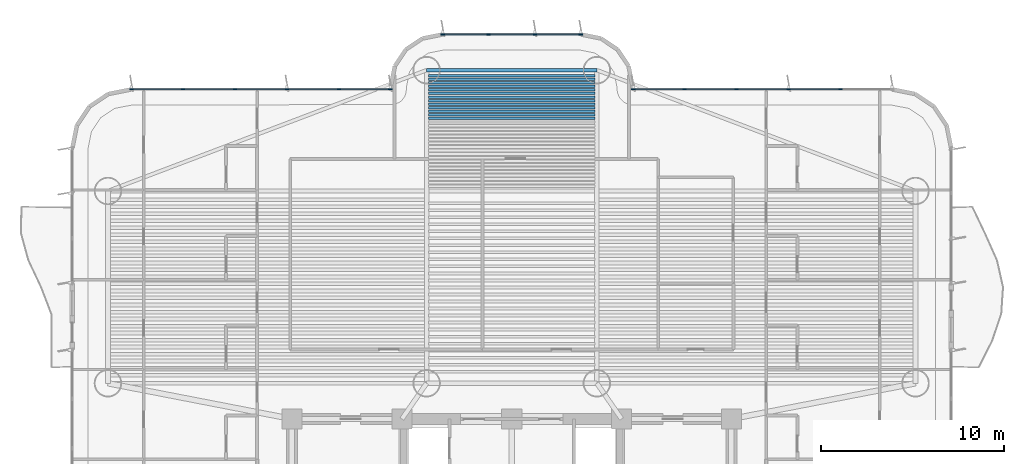
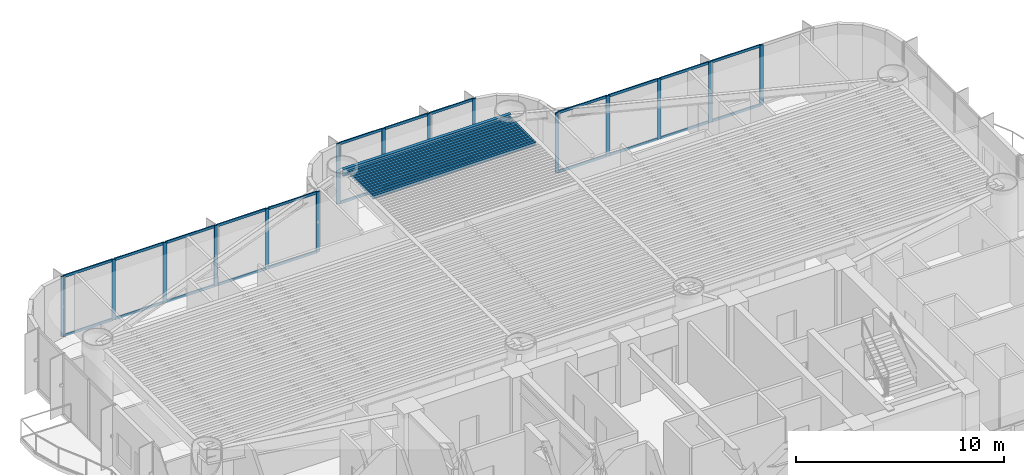
# One storey, part 7 of 19: 39 members, 14 beams, 3 elements without a shape of their own.
"""IFC4 building model written with IfcOpenShell, lengths in metres."""

from ifc_helpers import new_model, si_unit, direction, frame, origin, origin_2d, place, context, subcontext, project, spatial, rectangle, i_section, extrude, source, transform, mapped, material, layer, layer_set, material_profile, profile_set, type_object, element, aggregate, save


model = new_model("IFC4")

# Units and contexts
model_context = context("Model", 3, precision=1e-05, world=origin(), true_north=direction((0.0, 1.0)))
body_context = subcontext(model_context, "Body", "Model", "MODEL_VIEW")
ifc_project = project(units=[si_unit("LENGTHUNIT", "METRE"), si_unit("AREAUNIT", "SQUARE_METRE"), si_unit("VOLUMEUNIT", "CUBIC_METRE"), si_unit("PLANEANGLEUNIT", "RADIAN"), si_unit("MASSUNIT", "GRAM", prefix="KILO")], contexts=[model_context])

# Site, building, storey
site_placement = place(None, origin())
site = spatial("IfcSite", under=ifc_project, at=site_placement, CompositionType="ELEMENT")
building_placement = place(site_placement, origin())
building = spatial("IfcBuilding", under=site, at=building_placement, Name="Brelvock Crest Care Tower", CompositionType="ELEMENT")
storey_placement = place(building_placement, frame((0.0, 0.0, 64.800048828125)))
storey = spatial("IfcBuildingStorey", under=building, at=storey_placement, Name="L16", CompositionType="ELEMENT", Elevation=64.800048828125)

# Beams
ifc_material_1 = material(Name="Steel Grade 350", Category="steel")
ifc_material_profile_1 = material_profile(ifc_material_1, i_section(OverallWidth=0.177978515625, OverallDepth=0.406005859375, WebThickness=0.0078125, FlangeThickness=0.0126953125, FilletRadius=0.011474609375, at=origin_2d()), Name="410UB59.7")
ifc_profile_set_1 = profile_set([ifc_material_profile_1], Name="Steel Grade 350")
beam_type_1 = type_object("IfcBeamType", Name="BM-SP1", PredefinedType="SPANDREL", material=ifc_profile_set_1)
shared_shape_1 = source(origin(), body_context, "Body", "SweptSolid", [
    extrude(i_section(OverallWidth=0.177978515625, OverallDepth=0.406005859375, WebThickness=0.0078125, FlangeThickness=0.0126953125, FilletRadius=0.011474609375, at=origin_2d()), origin(), (0.0, 0.0, 1.0), 9.2998046875),
])
beam_placement = place(storey_placement, frame((31.35009765625, 37.050048828125, 3.326904296875), z_axis=(1.0, 0.0, 0.0), x_axis=(0.0, 1.0, 0.0)))
element("IfcBeam", 1, at=beam_placement, inside=storey, type_object=beam_type_1, Name="BM-TWR-L16-08", PredefinedType="SPANDREL", context=body_context, shape_type="MappedRepresentation", body=[
    mapped(shared_shape_1, transform((0.0, 0.0, 0.0), x_axis=(1.0, 0.0, 0.0), y_axis=(0.0, 1.0, 0.0), z_axis=(0.0, 0.0, 1.0), scale=1.0)),
])
ifc_material_profile_2 = material_profile(ifc_material_1, i_section(OverallWidth=0.134033203125, OverallDepth=0.20703125, WebThickness=0.00634765625, FlangeThickness=0.009521484375, FilletRadius=0.0087890625, at=origin_2d()), Name="200UB29.8")
ifc_profile_set_2 = profile_set([ifc_material_profile_2], Name="Steel Grade 350")
beam_type_2 = type_object("IfcBeamType", Name="BM-J4", PredefinedType="JOIST", material=ifc_profile_set_2)
shared_shape_2 = source(origin(), body_context, "Body", "SweptSolid", [
    extrude(i_section(OverallWidth=0.134033203125, OverallDepth=0.20703125, WebThickness=0.00634765625, FlangeThickness=0.009521484375, FilletRadius=0.0087890625, at=origin_2d()), origin(), (0.0, 0.0, 1.0), 9.06982421875),
])
for number, where, z_axis, x_axis, name in (
    (2, (31.465087890625, 34.413330078125, 3.426513671875), (1.0, 0.0, 0.0), (0.0, 1.0, 0.0), "BM-JN-L16-20"),
    (3, (31.465087890625, 34.60791015625, 3.426513671875), (1.0, 0.0, 0.0), (0.0, 1.0, 0.0), "BM-JN-L16-21"),
    (4, (31.465087890625, 34.802734375, 3.426513671875), (1.0, 0.0, 0.0), (0.0, 1.0, 0.0), "BM-JN-L16-22"),
    (5, (31.465087890625, 34.997314453125, 3.426513671875), (1.0, 0.0, 0.0), (0.0, 1.0, 0.0), "BM-JN-L16-23"),
    (6, (31.465087890625, 35.192138671875, 3.426513671875), (1.0, 0.0, 0.0), (0.0, 1.0, 0.0), "BM-JN-L16-24"),
    (7, (31.465087890625, 35.38671875, 3.426513671875), (1.0, 0.0, 0.0), (0.0, 1.0, 0.0), "BM-JN-L16-25"),
    (8, (31.465087890625, 35.58154296875, 3.426513671875), (1.0, 0.0, 0.0), (0.0, 1.0, 0.0), "BM-JN-L16-26"),
    (9, (31.465087890625, 35.776123046875, 3.426513671875), (1.0, 0.0, 0.0), (0.0, 1.0, 0.0), "BM-JN-L16-27"),
    (10, (31.465087890625, 35.970947265625, 3.426513671875), (1.0, 0.0, 0.0), (0.0, 1.0, 0.0), "BM-JN-L16-28"),
    (11, (31.465087890625, 36.16552734375, 3.426513671875), (1.0, 0.0, 0.0), (0.0, 1.0, 0.0), "BM-JN-L16-29"),
    (12, (31.465087890625, 36.3603515625, 3.426513671875), (1.0, 0.0, 0.0), (0.0, 1.0, 0.0), "BM-JN-L16-30"),
    (13, (31.465087890625, 36.554931640625, 3.426513671875), (1.0, 0.0, 0.0), (0.0, 1.0, 0.0), "BM-JN-L16-31"),
    (14, (31.465087890625, 36.749755859375, 3.426513671875), (1.0, 0.0, 0.0), (0.0, 1.0, 0.0), "BM-JN-L16-32"),
):
    element("IfcBeam", number, at=place(storey_placement, frame(where, z_axis=z_axis, x_axis=x_axis)), inside=storey, type_object=beam_type_2, Name=name, PredefinedType="JOIST", context=body_context, shape_type="MappedRepresentation", body=[
        mapped(shared_shape_2, transform((0.0, 0.0, 0.0), x_axis=(1.0, 0.0, 0.0), y_axis=(0.0, 1.0, 0.0), z_axis=(0.0, 0.0, 1.0), scale=1.0)),
    ])

# Curtain wall, members
ifc_material_2 = material(Name="Dark Glass Double Glazed Low-E", Category="glass")
ifc_layer = layer(ifc_material_2, 0.195068359375, Name="CWS-2")
ifc_layer_set = layer_set([ifc_layer], Name="Dark Glass Double Glazed Low-E")
curtain_wall_type = type_object("IfcCurtainWallType", Name="CWS-2", PredefinedType="NOTDEFINED", material=ifc_layer_set)
curtain_wall_1_placement = place(storey_placement, origin())
curtain_wall_1 = element("IfcCurtainWall", 15, at=curtain_wall_1_placement, inside=storey, type_object=curtain_wall_type, Name="L16 Curtain Wall E18", PredefinedType="NOTDEFINED")
ifc_material_3 = material(Name="Aluminium 6063-T6", Category="aluminium")
ifc_material_profile_3 = material_profile(ifc_material_3, rectangle(XDim=0.06494140625, YDim=0.199951171875, at=origin_2d()), Name="ALU65x200")
ifc_profile_set_3 = profile_set([ifc_material_profile_3], Name="Aluminium 6063-T6")
member_type_1 = type_object("IfcMemberType", Name="CWM-1", PredefinedType="MULLION", material=ifc_profile_set_3)
shared_shape_3 = source(origin(), body_context, "Body", "SweptSolid", [
    extrude(rectangle(XDim=0.06494140625, YDim=0.199951171875, at=origin_2d()), origin(), (0.0, 0.0, 1.0), 3.530029296875),
])
member_1_placement = place(storey_placement, frame((15.232421875, 36.0, 0.0), z_axis=(0.0, 0.0, 1.0), x_axis=(0.0, 1.0, 0.0)))
member_1 = element("IfcMember", 16, at=member_1_placement, type_object=member_type_1, Name="CW-2 mullion 1", PredefinedType="MULLION", context=body_context, shape_type="MappedRepresentation", body=[
    mapped(shared_shape_3, transform((0.0, 0.0, 0.0), x_axis=(1.0, 0.0, 0.0), y_axis=(0.0, 1.0, 0.0), z_axis=(0.0, 0.0, 1.0), scale=1.0)),
])
member_2_placement = place(storey_placement, frame((18.0400390625, 36.0, 0.0), z_axis=(0.0, 0.0, 1.0), x_axis=(0.0, 1.0, 0.0)))
member_2 = element("IfcMember", 17, at=member_2_placement, type_object=member_type_1, Name="CW-2 mullion 2", PredefinedType="MULLION", context=body_context, shape_type="MappedRepresentation", body=[
    mapped(shared_shape_3, transform((0.0, 0.0, 0.0), x_axis=(1.0, 0.0, 0.0), y_axis=(0.0, 1.0, 0.0), z_axis=(0.0, 0.0, 1.0), scale=1.0)),
])
member_3_placement = place(storey_placement, frame((20.8798828125, 36.0, 0.0), z_axis=(0.0, 0.0, 1.0), x_axis=(0.0, 1.0, 0.0)))
member_3 = element("IfcMember", 18, at=member_3_placement, type_object=member_type_1, Name="CW-2 mullion 3", PredefinedType="MULLION", context=body_context, shape_type="MappedRepresentation", body=[
    mapped(shared_shape_3, transform((0.0, 0.0, 0.0), x_axis=(1.0, 0.0, 0.0), y_axis=(0.0, 1.0, 0.0), z_axis=(0.0, 0.0, 1.0), scale=1.0)),
])
member_4_placement = place(storey_placement, frame((23.719970703125, 36.0, 0.0), z_axis=(0.0, 0.0, 1.0), x_axis=(0.0, 1.0, 0.0)))
member_4 = element("IfcMember", 19, at=member_4_placement, type_object=member_type_1, Name="CW-2 mullion 4", PredefinedType="MULLION", context=body_context, shape_type="MappedRepresentation", body=[
    mapped(shared_shape_3, transform((0.0, 0.0, 0.0), x_axis=(1.0, 0.0, 0.0), y_axis=(0.0, 1.0, 0.0), z_axis=(0.0, 0.0, 1.0), scale=1.0)),
])
member_5_placement = place(storey_placement, frame((26.56005859375, 36.0, 0.0), z_axis=(0.0, 0.0, 1.0), x_axis=(0.0, 1.0, 0.0)))
member_5 = element("IfcMember", 20, at=member_5_placement, type_object=member_type_1, Name="CW-2 mullion 5", PredefinedType="MULLION", context=body_context, shape_type="MappedRepresentation", body=[
    mapped(shared_shape_3, transform((0.0, 0.0, 0.0), x_axis=(1.0, 0.0, 0.0), y_axis=(0.0, 1.0, 0.0), z_axis=(0.0, 0.0, 1.0), scale=1.0)),
])
member_6_placement = place(storey_placement, frame((29.367431640625, 36.0, 0.0), z_axis=(0.0, 0.0, 1.0), x_axis=(0.0, 1.0, 0.0)))
member_6 = element("IfcMember", 21, at=member_6_placement, type_object=member_type_1, Name="CW-2 mullion 6", PredefinedType="MULLION", context=body_context, shape_type="MappedRepresentation", body=[
    mapped(shared_shape_3, transform((0.0, 0.0, 0.0), x_axis=(1.0, 0.0, 0.0), y_axis=(0.0, 1.0, 0.0), z_axis=(0.0, 0.0, 1.0), scale=1.0)),
])

curtain_wall_2_placement = place(storey_placement, origin())
curtain_wall_2 = element("IfcCurtainWall", 22, at=curtain_wall_2_placement, inside=storey, type_object=curtain_wall_type, Name="L16 Curtain Wall E24", PredefinedType="NOTDEFINED")
member_7_placement = place(storey_placement, frame((32.232421875, 39.0, 0.0), z_axis=(0.0, 0.0, 1.0), x_axis=(0.0, 1.0, 0.0)))
member_7 = element("IfcMember", 23, at=member_7_placement, type_object=member_type_1, Name="CW-2 mullion 1", PredefinedType="MULLION", context=body_context, shape_type="MappedRepresentation", body=[
    mapped(shared_shape_3, transform((0.0, 0.0, 0.0), x_axis=(1.0, 0.0, 0.0), y_axis=(0.0, 1.0, 0.0), z_axis=(0.0, 0.0, 1.0), scale=1.0)),
])
member_8_placement = place(storey_placement, frame((34.7333984375, 39.0, 0.0), z_axis=(0.0, 0.0, 1.0), x_axis=(0.0, 1.0, 0.0)))
member_8 = element("IfcMember", 24, at=member_8_placement, type_object=member_type_1, Name="CW-2 mullion 2", PredefinedType="MULLION", context=body_context, shape_type="MappedRepresentation", body=[
    mapped(shared_shape_3, transform((0.0, 0.0, 0.0), x_axis=(1.0, 0.0, 0.0), y_axis=(0.0, 1.0, 0.0), z_axis=(0.0, 0.0, 1.0), scale=1.0)),
])
member_9_placement = place(storey_placement, frame((37.2666015625, 39.0, 0.0), z_axis=(0.0, 0.0, 1.0), x_axis=(0.0, 1.0, 0.0)))
member_9 = element("IfcMember", 25, at=member_9_placement, type_object=member_type_1, Name="CW-2 mullion 3", PredefinedType="MULLION", context=body_context, shape_type="MappedRepresentation", body=[
    mapped(shared_shape_3, transform((0.0, 0.0, 0.0), x_axis=(1.0, 0.0, 0.0), y_axis=(0.0, 1.0, 0.0), z_axis=(0.0, 0.0, 1.0), scale=1.0)),
])
member_10_placement = place(storey_placement, frame((39.767578125, 39.0, 0.0), z_axis=(0.0, 0.0, 1.0), x_axis=(0.0, 1.0, 0.0)))
member_10 = element("IfcMember", 26, at=member_10_placement, type_object=member_type_1, Name="CW-2 mullion 4", PredefinedType="MULLION", context=body_context, shape_type="MappedRepresentation", body=[
    mapped(shared_shape_3, transform((0.0, 0.0, 0.0), x_axis=(1.0, 0.0, 0.0), y_axis=(0.0, 1.0, 0.0), z_axis=(0.0, 0.0, 1.0), scale=1.0)),
])

curtain_wall_3_placement = place(storey_placement, origin())
curtain_wall_3 = element("IfcCurtainWall", 27, at=curtain_wall_3_placement, inside=storey, type_object=curtain_wall_type, Name="L16 Curtain Wall E30", PredefinedType="NOTDEFINED")
member_11_placement = place(storey_placement, frame((42.632568359375, 36.0, 0.0), z_axis=(0.0, 0.0, 1.0), x_axis=(0.0, 1.0, 0.0)))
member_11 = element("IfcMember", 28, at=member_11_placement, type_object=member_type_1, Name="CW-2 mullion 1", PredefinedType="MULLION", context=body_context, shape_type="MappedRepresentation", body=[
    mapped(shared_shape_3, transform((0.0, 0.0, 0.0), x_axis=(1.0, 0.0, 0.0), y_axis=(0.0, 1.0, 0.0), z_axis=(0.0, 0.0, 1.0), scale=1.0)),
])
member_12_placement = place(storey_placement, frame((45.43994140625, 36.0, 0.0), z_axis=(0.0, 0.0, 1.0), x_axis=(0.0, 1.0, 0.0)))
member_12 = element("IfcMember", 29, at=member_12_placement, type_object=member_type_1, Name="CW-2 mullion 2", PredefinedType="MULLION", context=body_context, shape_type="MappedRepresentation", body=[
    mapped(shared_shape_3, transform((0.0, 0.0, 0.0), x_axis=(1.0, 0.0, 0.0), y_axis=(0.0, 1.0, 0.0), z_axis=(0.0, 0.0, 1.0), scale=1.0)),
])
member_13_placement = place(storey_placement, frame((48.280029296875, 36.0, 0.0), z_axis=(0.0, 0.0, 1.0), x_axis=(0.0, 1.0, 0.0)))
member_13 = element("IfcMember", 30, at=member_13_placement, type_object=member_type_1, Name="CW-2 mullion 3", PredefinedType="MULLION", context=body_context, shape_type="MappedRepresentation", body=[
    mapped(shared_shape_3, transform((0.0, 0.0, 0.0), x_axis=(1.0, 0.0, 0.0), y_axis=(0.0, 1.0, 0.0), z_axis=(0.0, 0.0, 1.0), scale=1.0)),
])
member_14_placement = place(storey_placement, frame((51.1201171875, 36.0, 0.0), z_axis=(0.0, 0.0, 1.0), x_axis=(0.0, 1.0, 0.0)))
member_14 = element("IfcMember", 31, at=member_14_placement, type_object=member_type_1, Name="CW-2 mullion 4", PredefinedType="MULLION", context=body_context, shape_type="MappedRepresentation", body=[
    mapped(shared_shape_3, transform((0.0, 0.0, 0.0), x_axis=(1.0, 0.0, 0.0), y_axis=(0.0, 1.0, 0.0), z_axis=(0.0, 0.0, 1.0), scale=1.0)),
])
member_15_placement = place(storey_placement, frame((53.9599609375, 36.0, 0.0), z_axis=(0.0, 0.0, 1.0), x_axis=(0.0, 1.0, 0.0)))
member_15 = element("IfcMember", 32, at=member_15_placement, type_object=member_type_1, Name="CW-2 mullion 5", PredefinedType="MULLION", context=body_context, shape_type="MappedRepresentation", body=[
    mapped(shared_shape_3, transform((0.0, 0.0, 0.0), x_axis=(1.0, 0.0, 0.0), y_axis=(0.0, 1.0, 0.0), z_axis=(0.0, 0.0, 1.0), scale=1.0)),
])

# Member
ifc_material_profile_4 = material_profile(ifc_material_3, rectangle(XDim=0.06494140625, YDim=0.14990234375, at=origin_2d()), Name="ALU65x150")
ifc_profile_set_4 = profile_set([ifc_material_profile_4], Name="Aluminium 6063-T6")
member_type_2 = type_object("IfcMemberType", Name="CWT-1", PredefinedType="USERDEFINED", material=ifc_profile_set_4)
shared_shape_4 = source(origin(), body_context, "Body", "SweptSolid", [
    extrude(rectangle(XDim=0.06494140625, YDim=0.14990234375, at=origin_2d()), origin(), (0.0, 0.0, 1.0), 2.74267578125),
])
member_16_placement = place(storey_placement, frame((15.264892578125, 36.0, 0.032470703125), z_axis=(1.0, 0.0, 0.0), x_axis=(0.0, 1.0, 0.0)))
member_16 = element("IfcMember", 33, at=member_16_placement, type_object=member_type_2, Name="CW-2 transom 1.1", ObjectType="TRANSOM", PredefinedType="USERDEFINED", context=body_context, shape_type="MappedRepresentation", body=[
    mapped(shared_shape_4, transform((0.0, 0.0, 0.0), x_axis=(1.0, 0.0, 0.0), y_axis=(0.0, 1.0, 0.0), z_axis=(0.0, 0.0, 1.0), scale=1.0)),
])

member_17_placement = place(storey_placement, frame((15.264892578125, 36.0, 3.49755859375), z_axis=(1.0, 0.0, 0.0), x_axis=(0.0, 1.0, 0.0)))
member_17 = element("IfcMember", 34, at=member_17_placement, type_object=member_type_2, Name="CW-2 transom 1.2", ObjectType="TRANSOM", PredefinedType="USERDEFINED", context=body_context, shape_type="MappedRepresentation", body=[
    mapped(shared_shape_4, transform((0.0, 0.0, 0.0), x_axis=(1.0, 0.0, 0.0), y_axis=(0.0, 1.0, 0.0), z_axis=(0.0, 0.0, 1.0), scale=1.0)),
])

shared_shape_5 = source(origin(), body_context, "Body", "SweptSolid", [
    extrude(rectangle(XDim=0.06494140625, YDim=0.14990234375, at=origin_2d()), origin(), (0.0, 0.0, 1.0), 2.77490234375),
])
member_18_placement = place(storey_placement, frame((18.072509765625, 36.0, 0.032470703125), z_axis=(1.0, 0.0, 0.0), x_axis=(0.0, 1.0, 0.0)))
member_18 = element("IfcMember", 35, at=member_18_placement, type_object=member_type_2, Name="CW-2 transom 2.1", ObjectType="TRANSOM", PredefinedType="USERDEFINED", context=body_context, shape_type="MappedRepresentation", body=[
    mapped(shared_shape_5, transform((0.0, 0.0, 0.0), x_axis=(1.0, 0.0, 0.0), y_axis=(0.0, 1.0, 0.0), z_axis=(0.0, 0.0, 1.0), scale=1.0)),
])

member_19_placement = place(storey_placement, frame((18.072509765625, 36.0, 3.49755859375), z_axis=(1.0, 0.0, 0.0), x_axis=(0.0, 1.0, 0.0)))
member_19 = element("IfcMember", 36, at=member_19_placement, type_object=member_type_2, Name="CW-2 transom 2.2", ObjectType="TRANSOM", PredefinedType="USERDEFINED", context=body_context, shape_type="MappedRepresentation", body=[
    mapped(shared_shape_5, transform((0.0, 0.0, 0.0), x_axis=(1.0, 0.0, 0.0), y_axis=(0.0, 1.0, 0.0), z_axis=(0.0, 0.0, 1.0), scale=1.0)),
])

member_20_placement = place(storey_placement, frame((20.91259765625, 36.0, 0.032470703125), z_axis=(1.0, 0.0, 0.0), x_axis=(0.0, 1.0, 0.0)))
member_20 = element("IfcMember", 37, at=member_20_placement, type_object=member_type_2, Name="CW-2 transom 3.1", ObjectType="TRANSOM", PredefinedType="USERDEFINED", context=body_context, shape_type="MappedRepresentation", body=[
    mapped(shared_shape_5, transform((0.0, 0.0, 0.0), x_axis=(1.0, 0.0, 0.0), y_axis=(0.0, 1.0, 0.0), z_axis=(0.0, 0.0, 1.0), scale=1.0)),
])

member_21_placement = place(storey_placement, frame((20.91259765625, 36.0, 3.49755859375), z_axis=(1.0, 0.0, 0.0), x_axis=(0.0, 1.0, 0.0)))
member_21 = element("IfcMember", 38, at=member_21_placement, type_object=member_type_2, Name="CW-2 transom 3.2", ObjectType="TRANSOM", PredefinedType="USERDEFINED", context=body_context, shape_type="MappedRepresentation", body=[
    mapped(shared_shape_5, transform((0.0, 0.0, 0.0), x_axis=(1.0, 0.0, 0.0), y_axis=(0.0, 1.0, 0.0), z_axis=(0.0, 0.0, 1.0), scale=1.0)),
])

member_22_placement = place(storey_placement, frame((48.3125, 36.0, 0.032470703125), z_axis=(1.0, 0.0, 0.0), x_axis=(0.0, 1.0, 0.0)))
member_22 = element("IfcMember", 39, at=member_22_placement, type_object=member_type_2, Name="CW-2 transom 3.1", ObjectType="TRANSOM", PredefinedType="USERDEFINED", context=body_context, shape_type="MappedRepresentation", body=[
    mapped(shared_shape_5, transform((0.0, 0.0, 0.0), x_axis=(1.0, 0.0, 0.0), y_axis=(0.0, 1.0, 0.0), z_axis=(0.0, 0.0, 1.0), scale=1.0)),
])

member_23_placement = place(storey_placement, frame((48.3125, 36.0, 3.49755859375), z_axis=(1.0, 0.0, 0.0), x_axis=(0.0, 1.0, 0.0)))
member_23 = element("IfcMember", 40, at=member_23_placement, type_object=member_type_2, Name="CW-2 transom 3.2", ObjectType="TRANSOM", PredefinedType="USERDEFINED", context=body_context, shape_type="MappedRepresentation", body=[
    mapped(shared_shape_5, transform((0.0, 0.0, 0.0), x_axis=(1.0, 0.0, 0.0), y_axis=(0.0, 1.0, 0.0), z_axis=(0.0, 0.0, 1.0), scale=1.0)),
])

member_24_placement = place(storey_placement, frame((51.152587890625, 36.0, 0.032470703125), z_axis=(1.0, 0.0, 0.0), x_axis=(0.0, 1.0, 0.0)))
member_24 = element("IfcMember", 41, at=member_24_placement, type_object=member_type_2, Name="CW-2 transom 4.1", ObjectType="TRANSOM", PredefinedType="USERDEFINED", context=body_context, shape_type="MappedRepresentation", body=[
    mapped(shared_shape_5, transform((0.0, 0.0, 0.0), x_axis=(1.0, 0.0, 0.0), y_axis=(0.0, 1.0, 0.0), z_axis=(0.0, 0.0, 1.0), scale=1.0)),
])

member_25_placement = place(storey_placement, frame((51.152587890625, 36.0, 3.49755859375), z_axis=(1.0, 0.0, 0.0), x_axis=(0.0, 1.0, 0.0)))
member_25 = element("IfcMember", 42, at=member_25_placement, type_object=member_type_2, Name="CW-2 transom 4.2", ObjectType="TRANSOM", PredefinedType="USERDEFINED", context=body_context, shape_type="MappedRepresentation", body=[
    mapped(shared_shape_5, transform((0.0, 0.0, 0.0), x_axis=(1.0, 0.0, 0.0), y_axis=(0.0, 1.0, 0.0), z_axis=(0.0, 0.0, 1.0), scale=1.0)),
])

shared_shape_6 = source(origin(), body_context, "Body", "SweptSolid", [
    extrude(rectangle(XDim=0.06494140625, YDim=0.14990234375, at=origin_2d()), origin(), (0.0, 0.0, 1.0), 2.775146484375),
])
member_26_placement = place(storey_placement, frame((23.75244140625, 36.0, 0.032470703125), z_axis=(1.0, 0.0, 0.0), x_axis=(0.0, 1.0, 0.0)))
member_26 = element("IfcMember", 43, at=member_26_placement, type_object=member_type_2, Name="CW-2 transom 4.1", ObjectType="TRANSOM", PredefinedType="USERDEFINED", context=body_context, shape_type="MappedRepresentation", body=[
    mapped(shared_shape_6, transform((0.0, 0.0, 0.0), x_axis=(1.0, 0.0, 0.0), y_axis=(0.0, 1.0, 0.0), z_axis=(0.0, 0.0, 1.0), scale=1.0)),
])

member_27_placement = place(storey_placement, frame((23.75244140625, 36.0, 3.49755859375), z_axis=(1.0, 0.0, 0.0), x_axis=(0.0, 1.0, 0.0)))
member_27 = element("IfcMember", 44, at=member_27_placement, type_object=member_type_2, Name="CW-2 transom 4.2", ObjectType="TRANSOM", PredefinedType="USERDEFINED", context=body_context, shape_type="MappedRepresentation", body=[
    mapped(shared_shape_6, transform((0.0, 0.0, 0.0), x_axis=(1.0, 0.0, 0.0), y_axis=(0.0, 1.0, 0.0), z_axis=(0.0, 0.0, 1.0), scale=1.0)),
])

member_28_placement = place(storey_placement, frame((45.472412109375, 36.0, 0.032470703125), z_axis=(1.0, 0.0, 0.0), x_axis=(0.0, 1.0, 0.0)))
member_28 = element("IfcMember", 45, at=member_28_placement, type_object=member_type_2, Name="CW-2 transom 2.1", ObjectType="TRANSOM", PredefinedType="USERDEFINED", context=body_context, shape_type="MappedRepresentation", body=[
    mapped(shared_shape_6, transform((0.0, 0.0, 0.0), x_axis=(1.0, 0.0, 0.0), y_axis=(0.0, 1.0, 0.0), z_axis=(0.0, 0.0, 1.0), scale=1.0)),
])

member_29_placement = place(storey_placement, frame((45.472412109375, 36.0, 3.49755859375), z_axis=(1.0, 0.0, 0.0), x_axis=(0.0, 1.0, 0.0)))
member_29 = element("IfcMember", 46, at=member_29_placement, type_object=member_type_2, Name="CW-2 transom 2.2", ObjectType="TRANSOM", PredefinedType="USERDEFINED", context=body_context, shape_type="MappedRepresentation", body=[
    mapped(shared_shape_6, transform((0.0, 0.0, 0.0), x_axis=(1.0, 0.0, 0.0), y_axis=(0.0, 1.0, 0.0), z_axis=(0.0, 0.0, 1.0), scale=1.0)),
])

shared_shape_7 = source(origin(), body_context, "Body", "SweptSolid", [
    extrude(rectangle(XDim=0.06494140625, YDim=0.14990234375, at=origin_2d()), origin(), (0.0, 0.0, 1.0), 2.742431640625),
])
member_30_placement = place(storey_placement, frame((26.592529296875, 36.0, 0.032470703125), z_axis=(1.0, 0.0, 0.0), x_axis=(0.0, 1.0, 0.0)))
member_30 = element("IfcMember", 47, at=member_30_placement, type_object=member_type_2, Name="CW-2 transom 5.1", ObjectType="TRANSOM", PredefinedType="USERDEFINED", context=body_context, shape_type="MappedRepresentation", body=[
    mapped(shared_shape_7, transform((0.0, 0.0, 0.0), x_axis=(1.0, 0.0, 0.0), y_axis=(0.0, 1.0, 0.0), z_axis=(0.0, 0.0, 1.0), scale=1.0)),
])

member_31_placement = place(storey_placement, frame((26.592529296875, 36.0, 3.49755859375), z_axis=(1.0, 0.0, 0.0), x_axis=(0.0, 1.0, 0.0)))
member_31 = element("IfcMember", 48, at=member_31_placement, type_object=member_type_2, Name="CW-2 transom 5.2", ObjectType="TRANSOM", PredefinedType="USERDEFINED", context=body_context, shape_type="MappedRepresentation", body=[
    mapped(shared_shape_7, transform((0.0, 0.0, 0.0), x_axis=(1.0, 0.0, 0.0), y_axis=(0.0, 1.0, 0.0), z_axis=(0.0, 0.0, 1.0), scale=1.0)),
])

aggregate(curtain_wall_1, [member_1, member_2, member_3, member_4, member_5, member_6, member_16, member_17, member_18, member_19, member_20, member_21, member_26, member_27, member_30, member_31])

member_32_placement = place(storey_placement, frame((42.6650390625, 36.0, 0.032470703125), z_axis=(1.0, 0.0, 0.0), x_axis=(0.0, 1.0, 0.0)))
member_32 = element("IfcMember", 49, at=member_32_placement, type_object=member_type_2, Name="CW-2 transom 1.1", ObjectType="TRANSOM", PredefinedType="USERDEFINED", context=body_context, shape_type="MappedRepresentation", body=[
    mapped(shared_shape_7, transform((0.0, 0.0, 0.0), x_axis=(1.0, 0.0, 0.0), y_axis=(0.0, 1.0, 0.0), z_axis=(0.0, 0.0, 1.0), scale=1.0)),
])

member_33_placement = place(storey_placement, frame((42.6650390625, 36.0, 3.49755859375), z_axis=(1.0, 0.0, 0.0), x_axis=(0.0, 1.0, 0.0)))
member_33 = element("IfcMember", 50, at=member_33_placement, type_object=member_type_2, Name="CW-2 transom 1.2", ObjectType="TRANSOM", PredefinedType="USERDEFINED", context=body_context, shape_type="MappedRepresentation", body=[
    mapped(shared_shape_7, transform((0.0, 0.0, 0.0), x_axis=(1.0, 0.0, 0.0), y_axis=(0.0, 1.0, 0.0), z_axis=(0.0, 0.0, 1.0), scale=1.0)),
])

aggregate(curtain_wall_3, [member_11, member_12, member_13, member_14, member_15, member_32, member_33, member_28, member_29, member_22, member_23, member_24, member_25])

shared_shape_8 = source(origin(), body_context, "Body", "SweptSolid", [
    extrude(rectangle(XDim=0.06494140625, YDim=0.14990234375, at=origin_2d()), origin(), (0.0, 0.0, 1.0), 2.43603515625),
])
member_34_placement = place(storey_placement, frame((32.264892578125, 39.0, 0.032470703125), z_axis=(1.0, 0.0, 0.0), x_axis=(0.0, 1.0, 0.0)))
member_34 = element("IfcMember", 51, at=member_34_placement, type_object=member_type_2, Name="CW-2 transom 1.1", ObjectType="TRANSOM", PredefinedType="USERDEFINED", context=body_context, shape_type="MappedRepresentation", body=[
    mapped(shared_shape_8, transform((0.0, 0.0, 0.0), x_axis=(1.0, 0.0, 0.0), y_axis=(0.0, 1.0, 0.0), z_axis=(0.0, 0.0, 1.0), scale=1.0)),
])

member_35_placement = place(storey_placement, frame((32.264892578125, 39.0, 3.49755859375), z_axis=(1.0, 0.0, 0.0), x_axis=(0.0, 1.0, 0.0)))
member_35 = element("IfcMember", 52, at=member_35_placement, type_object=member_type_2, Name="CW-2 transom 1.2", ObjectType="TRANSOM", PredefinedType="USERDEFINED", context=body_context, shape_type="MappedRepresentation", body=[
    mapped(shared_shape_8, transform((0.0, 0.0, 0.0), x_axis=(1.0, 0.0, 0.0), y_axis=(0.0, 1.0, 0.0), z_axis=(0.0, 0.0, 1.0), scale=1.0)),
])

member_36_placement = place(storey_placement, frame((37.299072265625, 39.0, 0.032470703125), z_axis=(1.0, 0.0, 0.0), x_axis=(0.0, 1.0, 0.0)))
member_36 = element("IfcMember", 53, at=member_36_placement, type_object=member_type_2, Name="CW-2 transom 3.1", ObjectType="TRANSOM", PredefinedType="USERDEFINED", context=body_context, shape_type="MappedRepresentation", body=[
    mapped(shared_shape_8, transform((0.0, 0.0, 0.0), x_axis=(1.0, 0.0, 0.0), y_axis=(0.0, 1.0, 0.0), z_axis=(0.0, 0.0, 1.0), scale=1.0)),
])

member_37_placement = place(storey_placement, frame((37.299072265625, 39.0, 3.49755859375), z_axis=(1.0, 0.0, 0.0), x_axis=(0.0, 1.0, 0.0)))
member_37 = element("IfcMember", 54, at=member_37_placement, type_object=member_type_2, Name="CW-2 transom 3.2", ObjectType="TRANSOM", PredefinedType="USERDEFINED", context=body_context, shape_type="MappedRepresentation", body=[
    mapped(shared_shape_8, transform((0.0, 0.0, 0.0), x_axis=(1.0, 0.0, 0.0), y_axis=(0.0, 1.0, 0.0), z_axis=(0.0, 0.0, 1.0), scale=1.0)),
])

shared_shape_9 = source(origin(), body_context, "Body", "SweptSolid", [
    extrude(rectangle(XDim=0.06494140625, YDim=0.14990234375, at=origin_2d()), origin(), (0.0, 0.0, 1.0), 2.46826171875),
])
member_38_placement = place(storey_placement, frame((34.765869140625, 39.0, 0.032470703125), z_axis=(1.0, 0.0, 0.0), x_axis=(0.0, 1.0, 0.0)))
member_38 = element("IfcMember", 55, at=member_38_placement, type_object=member_type_2, Name="CW-2 transom 2.1", ObjectType="TRANSOM", PredefinedType="USERDEFINED", context=body_context, shape_type="MappedRepresentation", body=[
    mapped(shared_shape_9, transform((0.0, 0.0, 0.0), x_axis=(1.0, 0.0, 0.0), y_axis=(0.0, 1.0, 0.0), z_axis=(0.0, 0.0, 1.0), scale=1.0)),
])

member_39_placement = place(storey_placement, frame((34.765869140625, 39.0, 3.49755859375), z_axis=(1.0, 0.0, 0.0), x_axis=(0.0, 1.0, 0.0)))
member_39 = element("IfcMember", 56, at=member_39_placement, type_object=member_type_2, Name="CW-2 transom 2.2", ObjectType="TRANSOM", PredefinedType="USERDEFINED", context=body_context, shape_type="MappedRepresentation", body=[
    mapped(shared_shape_9, transform((0.0, 0.0, 0.0), x_axis=(1.0, 0.0, 0.0), y_axis=(0.0, 1.0, 0.0), z_axis=(0.0, 0.0, 1.0), scale=1.0)),
])

aggregate(curtain_wall_2, [member_7, member_8, member_9, member_10, member_34, member_35, member_38, member_39, member_36, member_37])

save(model, "model.ifc")
